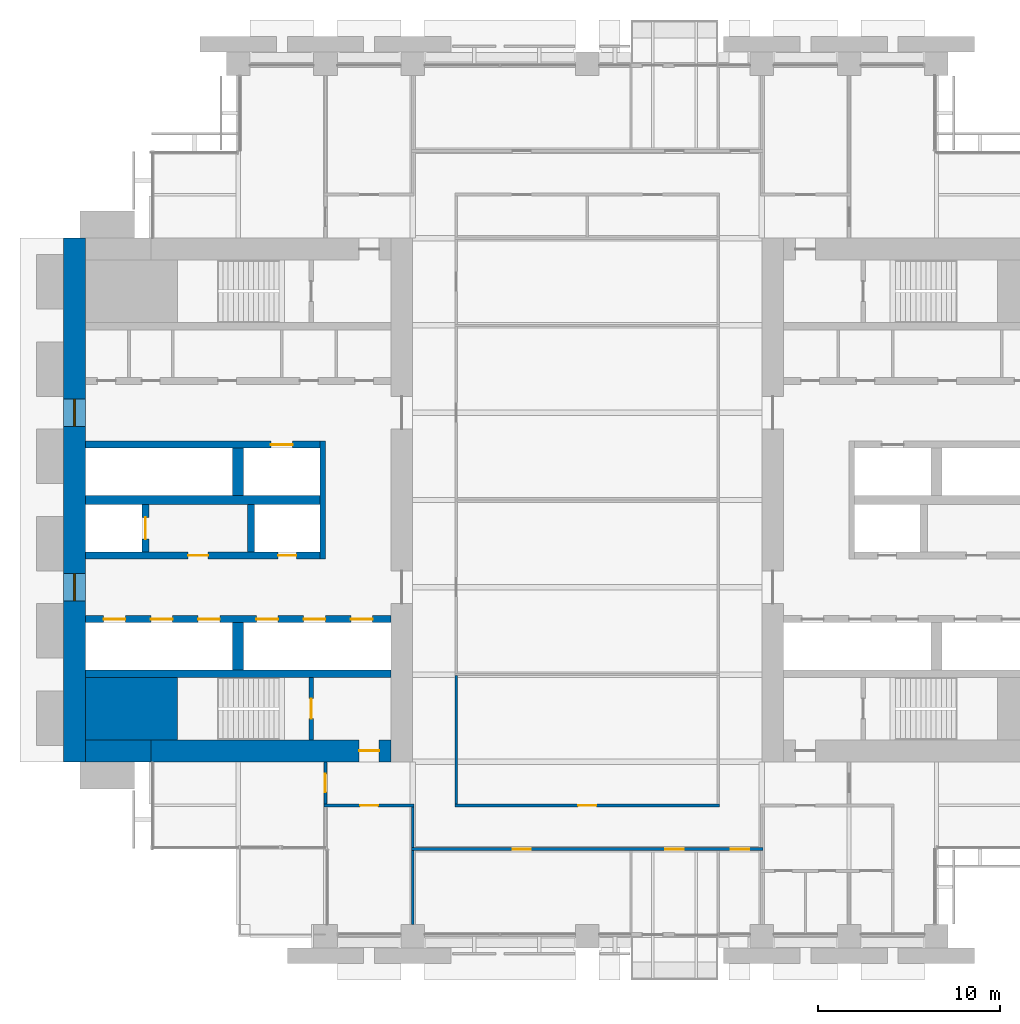
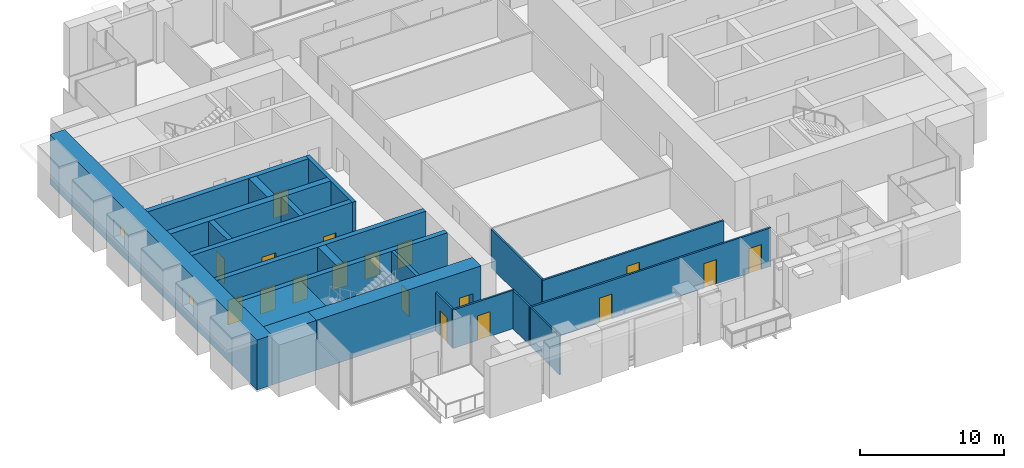
# One storey, part 9 of 15: 22 walls, 18 doors, 2 windows, 20 openings.
"""IFC4 building model written with IfcOpenShell, lengths in metres."""

from ifc_helpers import new_model, si_unit, direction, frame, frame_2d, origin, place, context, subcontext, project, spatial, rectangle, extrude, material, layer, layer_set, type_object, element, fill, save


model = new_model("IFC4")

# Units and contexts
model_context = context("Model", 3, precision=1e-05, world=origin(), true_north=direction((0.0, 1.0)))
body_context = subcontext(model_context, "Body", "Model", "MODEL_VIEW")
ifc_project = project(units=[si_unit("LENGTHUNIT", "METRE"), si_unit("AREAUNIT", "SQUARE_METRE"), si_unit("VOLUMEUNIT", "CUBIC_METRE"), si_unit("PLANEANGLEUNIT", "RADIAN"), si_unit("MASSUNIT", "GRAM", prefix="KILO")], contexts=[model_context])

# Site, building, storey
site_placement = place(None, origin())
site = spatial("IfcSite", under=ifc_project, at=site_placement, CompositionType="ELEMENT")
building_placement = place(site_placement, origin())
building = spatial("IfcBuilding", under=site, at=building_placement, Name="Baori Bourse Tower", CompositionType="ELEMENT")
storey_placement = place(building_placement, frame((0.0, 0.0, 34.60009765625)))
storey = spatial("IfcBuildingStorey", under=building, at=storey_placement, Name="L06", CompositionType="ELEMENT", Elevation=34.60009765625)

# Wall
ifc_material_1 = material(Name="Concrete f'c 70 MPa", Category="concrete")
wall_type_1 = type_object("IfcWallType", Name="Core corner block f'c 70", PredefinedType="SHEAR", material=ifc_material_1)
wall_1_placement = place(storey_placement, frame((1.199951171875, 12.52490234375, 0.0), z_axis=(0.0, 0.0, 1.0), x_axis=(1.0, 0.0, 0.0)))
element("IfcWall", 1, at=wall_1_placement, inside=storey, type_object=wall_type_1, Name="Core wall W05", PredefinedType="SHEAR", context=body_context, shape_type="SweptSolid", body=[
    extrude(rectangle(XDim=5.050048828125, YDim=3.449951171875, at=frame_2d((2.52490234375, 0.0))), origin(), (0.0, 0.0, 1.0), 4.239990234375),
])

# Wall, openings, windows
ifc_material_2 = material(Name="Concrete f'c 70 MPa", Category="concrete")
ifc_layer_1 = layer(ifc_material_2, 1.199951171875)
ifc_layer_set_1 = layer_set([ifc_layer_1], Name="Core wall 1200 f'c 70")
wall_type_2 = type_object("IfcWallType", Name="Core wall 1200 f'c 70", PredefinedType="SHEAR", material=ifc_layer_set_1)
wall_2_placement = place(storey_placement, frame((0.60009765625, 9.60009765625, 0.0), z_axis=(0.0, 0.0, 1.0), x_axis=(0.0, 1.0, 0.0)))
wall_2 = element("IfcWall", 2, at=wall_2_placement, inside=storey, type_object=wall_type_2, Name="Core wall W01", PredefinedType="SHEAR", context=body_context, shape_type="SweptSolid", body=[
    extrude(rectangle(XDim=28.7998046875, YDim=1.199951171875, at=frame_2d((14.39990234375, 0.0))), origin(), (0.0, 0.0, 1.0), 4.239990234375),
])
opening_1_placement = place(wall_2_placement, frame((8.85009765625, 0.0, 0.89990234375)))
opening_1 = element("IfcOpeningElement", 3, at=opening_1_placement, cuts=wall_2, Name="Opening L06-KW101", PredefinedType="OPENING", context=body_context, shape_type="SweptSolid", body=[
    extrude(rectangle(XDim=1.5, YDim=1.5, at=frame_2d((0.75, 0.75))), frame((0.0, 0.60986328125, 0.0), z_axis=(0.0, -1.0, 0.0), x_axis=(1.0, 0.0, 0.0)), (0.0, 0.0, 1.0), 1.219970703125),
])
opening_2_placement = place(wall_2_placement, frame((18.449951171875, 0.0, 0.89990234375)))
opening_2 = element("IfcOpeningElement", 4, at=opening_2_placement, cuts=wall_2, Name="Opening L06-KW102", PredefinedType="OPENING", context=body_context, shape_type="SweptSolid", body=[
    extrude(rectangle(XDim=1.5, YDim=1.5, at=frame_2d((0.75, 0.75))), frame((0.0, 0.60986328125, 0.0), z_axis=(0.0, -1.0, 0.0), x_axis=(1.0, 0.0, 0.0)), (0.0, 0.0, 1.0), 1.219970703125),
])
ifc_material_3 = material(Name="Pale anodised aluminium", Category="aluminium")
window_type = type_object("IfcWindowType", Name="Lobby window 1500 x 1500", PartitioningType="SINGLE_PANEL", PredefinedType="WINDOW", material=ifc_material_3)
window_1_placement = place(opening_1_placement, origin())
window_1 = element("IfcWindow", 5, at=window_1_placement, inside=storey, type_object=window_type, Name="Outer wall window W L06 1", OverallHeight=1.5, OverallWidth=1.5, PartitioningType="SINGLE_PANEL", PredefinedType="WINDOW", context=body_context, shape_type="SweptSolid", body=[
    extrude(rectangle(XDim=1.5, YDim=1.5, at=frame_2d((0.75, 0.75))), frame((0.0, 0.030029296875, 0.0), z_axis=(0.0, -1.0, 0.0), x_axis=(1.0, 0.0, 0.0)), (0.0, 0.0, 1.0), 0.06005859375),
])
fill(opening_1, window_1)
window_2_placement = place(opening_2_placement, origin())
window_2 = element("IfcWindow", 6, at=window_2_placement, inside=storey, type_object=window_type, Name="Outer wall window W L06 2", OverallHeight=1.5, OverallWidth=1.5, PartitioningType="SINGLE_PANEL", PredefinedType="WINDOW", context=body_context, shape_type="SweptSolid", body=[
    extrude(rectangle(XDim=1.5, YDim=1.5, at=frame_2d((0.75, 0.75))), frame((0.0, 0.030029296875, 0.0), z_axis=(0.0, -1.0, 0.0), x_axis=(1.0, 0.0, 0.0)), (0.0, 0.0, 1.0), 0.06005859375),
])
fill(opening_2, window_2)

# Wall
wall_3_placement = place(storey_placement, frame((4.800048828125, 10.199951171875, 0.0), z_axis=(0.0, 0.0, 1.0), x_axis=(-1.0, 0.0, 0.0)))
element("IfcWall", 7, at=wall_3_placement, inside=storey, type_object=wall_type_2, Name="Core wall W02", PredefinedType="SHEAR", context=body_context, shape_type="SweptSolid", body=[
    extrude(rectangle(XDim=3.60009765625, YDim=1.199951171875, at=frame_2d((1.800048828125, 0.0))), origin(), (0.0, 0.0, 1.0), 4.239990234375),
])

# Wall, opening, door
wall_4_placement = place(storey_placement, frame((18.0, 10.199951171875, 0.0), z_axis=(0.0, 0.0, 1.0), x_axis=(-1.0, 0.0, 0.0)))
wall_4 = element("IfcWall", 8, at=wall_4_placement, inside=storey, type_object=wall_type_2, Name="Core wall W03", PredefinedType="SHEAR", context=body_context, shape_type="SweptSolid", body=[
    extrude(rectangle(XDim=13.199951171875, YDim=1.199951171875, at=frame_2d((6.60009765625, 0.0))), origin(), (0.0, 0.0, 1.0), 4.239990234375),
])
opening_3_placement = place(wall_4_placement, frame((0.64990234375, 0.0, 0.0)))
opening_3 = element("IfcOpeningElement", 9, at=opening_3_placement, cuts=wall_4, Name="Opening L06-D102", PredefinedType="OPENING", context=body_context, shape_type="SweptSolid", body=[
    extrude(rectangle(XDim=1.10009765625, YDim=2.10009765625, at=frame_2d((0.550048828125, 1.050048828125))), frame((0.0, 0.60986328125, 0.0), z_axis=(0.0, -1.0, 0.0), x_axis=(1.0, 0.0, 0.0)), (0.0, 0.0, 1.0), 1.219970703125),
])
ifc_material_4 = material(Name="Painted steel door", Category="steel")
door_type_1 = type_object("IfcDoorType", Name="Stair door 1100", OperationType="SINGLE_SWING_LEFT", PredefinedType="DOOR", material=ifc_material_4)
door_1_placement = place(opening_3_placement, origin())
door_1 = element("IfcDoor", 10, at=door_1_placement, inside=storey, type_object=door_type_1, Name="Stair vestibule door A W L06", OperationType="SINGLE_SWING_LEFT", OverallHeight=2.10009765625, OverallWidth=1.10009765625, PredefinedType="DOOR", context=body_context, shape_type="SweptSolid", body=[
    extrude(rectangle(XDim=1.10009765625, YDim=2.10009765625, at=frame_2d((0.550048828125, 1.050048828125))), frame((0.0, 0.02490234375, 0.0), z_axis=(0.0, -1.0, 0.0), x_axis=(1.0, 0.0, 0.0)), (0.0, 0.0, 1.0), 0.050048828125),
])
fill(opening_3, door_1)

# Wall, openings, doors
ifc_material_5 = material(Name="Gypsum board partition")
ifc_layer_2 = layer(ifc_material_5, 0.14990234375)
ifc_layer_set_2 = layer_set([ifc_layer_2], Name="Corridor partition 150")
wall_type_3 = type_object("IfcWallType", Name="Corridor partition 150", PredefinedType="PARTITIONING", material=ifc_layer_set_2)
wall_5_placement = place(storey_placement, frame((19.125, 4.800048828125, 0.0), z_axis=(0.0, 0.0, 1.0), x_axis=(1.0, 0.0, 0.0)))
wall_5 = element("IfcWall", 11, at=wall_5_placement, inside=storey, type_object=wall_type_3, Name="Partition", PredefinedType="PARTITIONING", context=body_context, shape_type="SweptSolid", body=[
    extrude(rectangle(XDim=19.35009765625, YDim=0.14990234375, at=frame_2d((9.675048828125, 0.0))), origin(), (0.0, 0.0, 1.0), 3.26953125),
])
opening_4_placement = place(wall_5_placement, frame((5.574951171875, 0.0, 0.0)))
opening_4 = element("IfcOpeningElement", 12, at=opening_4_placement, cuts=wall_5, Name="Opening L06-D04", PredefinedType="OPENING", context=body_context, shape_type="SweptSolid", body=[
    extrude(rectangle(XDim=1.0, YDim=2.10009765625, at=frame_2d((0.5, 1.050048828125))), frame((0.0, 0.0849609375, 0.0), z_axis=(0.0, -1.0, 0.0), x_axis=(1.0, 0.0, 0.0)), (0.0, 0.0, 1.0), 0.169921875),
])
opening_5_placement = place(wall_5_placement, frame((13.97509765625, 0.0, 0.0)))
opening_5 = element("IfcOpeningElement", 13, at=opening_5_placement, cuts=wall_5, Name="Opening L06-D05", PredefinedType="OPENING", context=body_context, shape_type="SweptSolid", body=[
    extrude(rectangle(XDim=1.0, YDim=2.10009765625, at=frame_2d((0.5, 1.050048828125))), frame((0.0, 0.0849609375, 0.0), z_axis=(0.0, -1.0, 0.0), x_axis=(1.0, 0.0, 0.0)), (0.0, 0.0, 1.0), 0.169921875),
])
opening_6_placement = place(wall_5_placement, frame((17.574951171875, 0.0, 0.0)))
opening_6 = element("IfcOpeningElement", 14, at=opening_6_placement, cuts=wall_5, Name="Opening L06-D06", PredefinedType="OPENING", context=body_context, shape_type="SweptSolid", body=[
    extrude(rectangle(XDim=1.0, YDim=2.10009765625, at=frame_2d((0.5, 1.050048828125))), frame((0.0, 0.0849609375, 0.0), z_axis=(0.0, -1.0, 0.0), x_axis=(1.0, 0.0, 0.0)), (0.0, 0.0, 1.0), 0.169921875),
])
ifc_material_6 = material(Name="Timber door leaf", Category="wood")
door_type_2 = type_object("IfcDoorType", Name="Door 1000 x 2100", OperationType="SINGLE_SWING_LEFT", PredefinedType="DOOR", material=ifc_material_6)
door_2_placement = place(opening_4_placement, origin())
door_2 = element("IfcDoor", 15, at=door_2_placement, inside=storey, type_object=door_type_2, Name="Door", OperationType="SINGLE_SWING_LEFT", OverallHeight=2.10009765625, OverallWidth=1.0, PredefinedType="DOOR", context=body_context, shape_type="SweptSolid", body=[
    extrude(rectangle(XDim=1.0, YDim=2.10009765625, at=frame_2d((0.5, 1.050048828125))), frame((0.0, 0.02490234375, 0.0), z_axis=(0.0, -1.0, 0.0), x_axis=(1.0, 0.0, 0.0)), (0.0, 0.0, 1.0), 0.050048828125),
])
fill(opening_4, door_2)
door_3_placement = place(opening_5_placement, origin())
door_3 = element("IfcDoor", 16, at=door_3_placement, inside=storey, type_object=door_type_2, Name="Door", OperationType="SINGLE_SWING_RIGHT", OverallHeight=2.10009765625, OverallWidth=1.0, PredefinedType="DOOR", context=body_context, shape_type="SweptSolid", body=[
    extrude(rectangle(XDim=1.0, YDim=2.10009765625, at=frame_2d((0.5, 1.050048828125))), frame((0.0, 0.02490234375, 0.0), z_axis=(0.0, -1.0, 0.0), x_axis=(1.0, 0.0, 0.0)), (0.0, 0.0, 1.0), 0.050048828125),
])
fill(opening_5, door_3)
door_4_placement = place(opening_6_placement, origin())
door_4 = element("IfcDoor", 17, at=door_4_placement, inside=storey, type_object=door_type_2, Name="Door", OperationType="SINGLE_SWING_RIGHT", OverallHeight=2.10009765625, OverallWidth=1.0, PredefinedType="DOOR", context=body_context, shape_type="SweptSolid", body=[
    extrude(rectangle(XDim=1.0, YDim=2.10009765625, at=frame_2d((0.5, 1.050048828125))), frame((0.0, 0.02490234375, 0.0), z_axis=(0.0, -1.0, 0.0), x_axis=(1.0, 0.0, 0.0)), (0.0, 0.0, 1.0), 0.050048828125),
])
fill(opening_6, door_4)

# Wall, opening, door
wall_6_placement = place(storey_placement, frame((14.324951171875, 7.199951171875, 0.0), z_axis=(0.0, 0.0, 1.0), x_axis=(1.0, 0.0, 0.0)))
wall_6 = element("IfcWall", 18, at=wall_6_placement, inside=storey, type_object=wall_type_3, Name="Partition", PredefinedType="PARTITIONING", context=body_context, shape_type="SweptSolid", body=[
    extrude(rectangle(XDim=4.949951171875, YDim=0.14990234375, at=frame_2d((2.47509765625, 0.0))), origin(), (0.0, 0.0, 1.0), 3.26953125),
])
opening_7_placement = place(wall_6_placement, frame((1.97509765625, 0.0, 0.0)))
opening_7 = element("IfcOpeningElement", 19, at=opening_7_placement, cuts=wall_6, Name="Opening L06-D07", PredefinedType="OPENING", context=body_context, shape_type="SweptSolid", body=[
    extrude(rectangle(XDim=1.0, YDim=2.10009765625, at=frame_2d((0.5, 1.050048828125))), frame((0.0, 0.0849609375, 0.0), z_axis=(0.0, -1.0, 0.0), x_axis=(1.0, 0.0, 0.0)), (0.0, 0.0, 1.0), 0.169921875),
])
door_5_placement = place(opening_7_placement, origin())
door_5 = element("IfcDoor", 20, at=door_5_placement, inside=storey, type_object=door_type_2, Name="Door", OperationType="SINGLE_SWING_RIGHT", OverallHeight=2.10009765625, OverallWidth=1.0, PredefinedType="DOOR", context=body_context, shape_type="SweptSolid", body=[
    extrude(rectangle(XDim=1.0, YDim=2.10009765625, at=frame_2d((0.5, 1.050048828125))), frame((0.0, 0.02490234375, 0.0), z_axis=(0.0, -1.0, 0.0), x_axis=(1.0, 0.0, 0.0)), (0.0, 0.0, 1.0), 0.050048828125),
])
fill(opening_7, door_5)

wall_7_placement = place(storey_placement, frame((21.52490234375, 7.199951171875, 0.0), z_axis=(0.0, 0.0, 1.0), x_axis=(1.0, 0.0, 0.0)))
wall_7 = element("IfcWall", 21, at=wall_7_placement, inside=storey, type_object=wall_type_3, Name="Partition", PredefinedType="PARTITIONING", context=body_context, shape_type="SweptSolid", body=[
    extrude(rectangle(XDim=14.550048828125, YDim=0.14990234375, at=frame_2d((7.27490234375, 0.0))), origin(), (0.0, 0.0, 1.0), 3.26953125),
])
opening_8_placement = place(wall_7_placement, frame((6.77490234375, 0.0, 0.0)))
opening_8 = element("IfcOpeningElement", 22, at=opening_8_placement, cuts=wall_7, Name="Opening L06-D08", PredefinedType="OPENING", context=body_context, shape_type="SweptSolid", body=[
    extrude(rectangle(XDim=1.0, YDim=2.10009765625, at=frame_2d((0.5, 1.050048828125))), frame((0.0, 0.0849609375, 0.0), z_axis=(0.0, -1.0, 0.0), x_axis=(1.0, 0.0, 0.0)), (0.0, 0.0, 1.0), 0.169921875),
])
door_6_placement = place(opening_8_placement, origin())
door_6 = element("IfcDoor", 23, at=door_6_placement, inside=storey, type_object=door_type_2, Name="Door", OperationType="SINGLE_SWING_RIGHT", OverallHeight=2.10009765625, OverallWidth=1.0, PredefinedType="DOOR", context=body_context, shape_type="SweptSolid", body=[
    extrude(rectangle(XDim=1.0, YDim=2.10009765625, at=frame_2d((0.5, 1.050048828125))), frame((0.0, 0.02490234375, 0.0), z_axis=(0.0, -1.0, 0.0), x_axis=(1.0, 0.0, 0.0)), (0.0, 0.0, 1.0), 0.050048828125),
])
fill(opening_8, door_6)

wall_8_placement = place(storey_placement, frame((14.39990234375, 7.27490234375, 0.0), z_axis=(0.0, 0.0, 1.0), x_axis=(0.0, 1.0, 0.0)))
wall_8 = element("IfcWall", 24, at=wall_8_placement, inside=storey, type_object=wall_type_3, Name="Partition", PredefinedType="PARTITIONING", context=body_context, shape_type="SweptSolid", body=[
    extrude(rectangle(XDim=2.3251953125, YDim=0.14990234375, at=frame_2d((1.16259765625, 0.0))), origin(), (0.0, 0.0, 1.0), 3.26953125),
])
opening_9_placement = place(wall_8_placement, frame((0.66259765625, 0.0, 0.0)))
opening_9 = element("IfcOpeningElement", 25, at=opening_9_placement, cuts=wall_8, Name="Opening L06-D17", PredefinedType="OPENING", context=body_context, shape_type="SweptSolid", body=[
    extrude(rectangle(XDim=1.0, YDim=2.10009765625, at=frame_2d((0.5, 1.050048828125))), frame((0.0, 0.0849609375, 0.0), z_axis=(0.0, -1.0, 0.0), x_axis=(1.0, 0.0, 0.0)), (0.0, 0.0, 1.0), 0.169921875),
])
door_7_placement = place(opening_9_placement, origin())
door_7 = element("IfcDoor", 26, at=door_7_placement, inside=storey, type_object=door_type_2, Name="Door", OperationType="SINGLE_SWING_RIGHT", OverallHeight=2.10009765625, OverallWidth=1.0, PredefinedType="DOOR", context=body_context, shape_type="SweptSolid", body=[
    extrude(rectangle(XDim=1.0, YDim=2.10009765625, at=frame_2d((0.5, 1.050048828125))), frame((0.0, 0.02490234375, 0.0), z_axis=(0.0, -1.0, 0.0), x_axis=(1.0, 0.0, 0.0)), (0.0, 0.0, 1.0), 0.050048828125),
])
fill(opening_9, door_7)

# Walls
wall_9_placement = place(storey_placement, frame((19.199951171875, 4.875, 0.0), z_axis=(0.0, 0.0, 1.0), x_axis=(0.0, 1.0, 0.0)))
element("IfcWall", 27, at=wall_9_placement, inside=storey, type_object=wall_type_3, Name="Partition", PredefinedType="PARTITIONING", context=body_context, shape_type="SweptSolid", body=[
    extrude(rectangle(XDim=2.25, YDim=0.14990234375, at=frame_2d((1.125, 0.0))), origin(), (0.0, 0.0, 1.0), 3.26953125),
])
wall_10_placement = place(storey_placement, frame((21.60009765625, 7.27490234375, 0.0), z_axis=(0.0, 0.0, 1.0), x_axis=(0.0, 1.0, 0.0)))
element("IfcWall", 28, at=wall_10_placement, inside=storey, type_object=wall_type_3, Name="Partition", PredefinedType="PARTITIONING", context=body_context, shape_type="SweptSolid", body=[
    extrude(rectangle(XDim=7.0625, YDim=0.14990234375, at=frame_2d((3.53125, 0.0))), origin(), (0.0, 0.0, 1.0), 3.26953125),
])
ifc_material_7 = material(Name="Gypsum board partition")
ifc_layer_3 = layer(ifc_material_7, 0.125)
ifc_layer_set_3 = layer_set([ifc_layer_3], Name="Partition 125")
wall_type_4 = type_object("IfcWallType", Name="Partition 125", PredefinedType="PARTITIONING", material=ifc_layer_set_3)
wall_11_placement = place(storey_placement, frame((19.199951171875, 0.64990234375, 0.0), z_axis=(0.0, 0.0, 1.0), x_axis=(0.0, 1.0, 0.0)))
element("IfcWall", 29, at=wall_11_placement, inside=storey, type_object=wall_type_4, Name="Partition", PredefinedType="PARTITIONING", context=body_context, shape_type="SweptSolid", body=[
    extrude(rectangle(XDim=4.0751953125, YDim=0.125, at=frame_2d((2.03759765625, 0.0))), origin(), (0.0, 0.0, 1.0), 3.26953125),
])

# Wall, opening, door
ifc_material_8 = material(Name="Concrete f'c 70 MPa", Category="concrete")
ifc_layer_4 = layer(ifc_material_8, 0.25)
ifc_layer_set_4 = layer_set([ifc_layer_4], Name="Shaft wall 250 f'c 70")
wall_type_5 = type_object("IfcWallType", Name="Shaft wall 250 f'c 70", PredefinedType="SHEAR", material=ifc_layer_set_4)
wall_12_placement = place(storey_placement, frame((13.625, 10.800048828125, 0.0), z_axis=(0.0, 0.0, 1.0), x_axis=(0.0, 1.0, 0.0)))
wall_12 = element("IfcWall", 30, at=wall_12_placement, inside=storey, type_object=wall_type_5, Name="Core wall W06", PredefinedType="SHEAR", context=body_context, shape_type="SweptSolid", body=[
    extrude(rectangle(XDim=3.449951171875, YDim=0.25, at=frame_2d((1.72509765625, 0.0))), origin(), (0.0, 0.0, 1.0), 4.239990234375),
])
opening_10_placement = place(wall_12_placement, frame((1.175048828125, 0.0, 0.0)))
opening_10 = element("IfcOpeningElement", 31, at=opening_10_placement, cuts=wall_12, Name="Opening L06-D101", PredefinedType="OPENING", context=body_context, shape_type="SweptSolid", body=[
    extrude(rectangle(XDim=1.10009765625, YDim=2.10009765625, at=frame_2d((0.550048828125, 1.050048828125))), frame((0.0, 0.135009765625, 0.0), z_axis=(0.0, -1.0, 0.0), x_axis=(1.0, 0.0, 0.0)), (0.0, 0.0, 1.0), 0.27001953125),
])
door_8_placement = place(opening_10_placement, origin())
door_8 = element("IfcDoor", 32, at=door_8_placement, inside=storey, type_object=door_type_1, Name="Stair door A W L06", OperationType="SINGLE_SWING_LEFT", OverallHeight=2.10009765625, OverallWidth=1.10009765625, PredefinedType="DOOR", context=body_context, shape_type="SweptSolid", body=[
    extrude(rectangle(XDim=1.10009765625, YDim=2.10009765625, at=frame_2d((0.550048828125, 1.050048828125))), frame((0.0, 0.02490234375, 0.0), z_axis=(0.0, -1.0, 0.0), x_axis=(1.0, 0.0, 0.0)), (0.0, 0.0, 1.0), 0.050048828125),
])
fill(opening_10, door_8)

# Walls
ifc_material_9 = material(Name="Concrete f'c 70 MPa", Category="concrete")
ifc_layer_5 = layer(ifc_material_9, 0.300048828125)
ifc_layer_set_5 = layer_set([ifc_layer_5], Name="Shaft wall 300 f'c 70")
wall_type_6 = type_object("IfcWallType", Name="Shaft wall 300 f'c 70", PredefinedType="SHEAR", material=ifc_layer_set_5)
wall_13_placement = place(storey_placement, frame((14.25, 20.75, 0.0), z_axis=(0.0, 0.0, 1.0), x_axis=(0.0, 1.0, 0.0)))
element("IfcWall", 33, at=wall_13_placement, inside=storey, type_object=wall_type_6, Name="Core wall W11", PredefinedType="SHEAR", context=body_context, shape_type="SweptSolid", body=[
    extrude(rectangle(XDim=6.5, YDim=0.300048828125, at=frame_2d((3.25, 0.0))), origin(), (0.0, 0.0, 1.0), 4.239990234375),
])
ifc_material_10 = material(Name="Concrete f'c 70 MPa", Category="concrete")
ifc_layer_6 = layer(ifc_material_10, 0.39990234375)
ifc_layer_set_6 = layer_set([ifc_layer_6], Name="Shaft wall 400 f'c 70")
wall_type_7 = type_object("IfcWallType", Name="Shaft wall 400 f'c 70", PredefinedType="SHEAR", material=ifc_layer_set_6)
wall_14_placement = place(storey_placement, frame((1.199951171875, 14.449951171875, 0.0), z_axis=(0.0, 0.0, 1.0), x_axis=(1.0, 0.0, 0.0)))
element("IfcWall", 34, at=wall_14_placement, inside=storey, type_object=wall_type_7, Name="Core wall W07", PredefinedType="SHEAR", context=body_context, shape_type="SweptSolid", body=[
    extrude(rectangle(XDim=16.800048828125, YDim=0.39990234375, at=frame_2d((8.39990234375, 0.0))), origin(), (0.0, 0.0, 1.0), 4.239990234375),
])

# Wall, openings, doors
wall_15_placement = place(storey_placement, frame((1.199951171875, 17.449951171875, 0.0), z_axis=(0.0, 0.0, 1.0), x_axis=(1.0, 0.0, 0.0)))
wall_15 = element("IfcWall", 35, at=wall_15_placement, inside=storey, type_object=wall_type_7, Name="Core wall W09", PredefinedType="SHEAR", context=body_context, shape_type="SweptSolid", body=[
    extrude(rectangle(XDim=16.800048828125, YDim=0.39990234375, at=frame_2d((8.39990234375, 0.0))), origin(), (0.0, 0.0, 1.0), 4.239990234375),
])
opening_11_placement = place(wall_15_placement, frame((1.0, 0.0, 0.0)))
opening_11 = element("IfcOpeningElement", 36, at=opening_11_placement, cuts=wall_15, Name="Opening L06-D114", PredefinedType="OPENING", context=body_context, shape_type="SweptSolid", body=[
    extrude(rectangle(XDim=1.199951171875, YDim=2.10009765625, at=frame_2d((0.60009765625, 1.050048828125))), frame((0.0, 0.2099609375, 0.0), z_axis=(0.0, -1.0, 0.0), x_axis=(1.0, 0.0, 0.0)), (0.0, 0.0, 1.0), 0.419921875),
])
opening_12_placement = place(wall_15_placement, frame((3.60009765625, 0.0, 0.0)))
opening_12 = element("IfcOpeningElement", 37, at=opening_12_placement, cuts=wall_15, Name="Opening L06-D115", PredefinedType="OPENING", context=body_context, shape_type="SweptSolid", body=[
    extrude(rectangle(XDim=1.199951171875, YDim=2.10009765625, at=frame_2d((0.60009765625, 1.050048828125))), frame((0.0, 0.2099609375, 0.0), z_axis=(0.0, -1.0, 0.0), x_axis=(1.0, 0.0, 0.0)), (0.0, 0.0, 1.0), 0.419921875),
])
opening_13_placement = place(wall_15_placement, frame((6.199951171875, 0.0, 0.0)))
opening_13 = element("IfcOpeningElement", 38, at=opening_13_placement, cuts=wall_15, Name="Opening L06-D116", PredefinedType="OPENING", context=body_context, shape_type="SweptSolid", body=[
    extrude(rectangle(XDim=1.199951171875, YDim=2.10009765625, at=frame_2d((0.60009765625, 1.050048828125))), frame((0.0, 0.2099609375, 0.0), z_axis=(0.0, -1.0, 0.0), x_axis=(1.0, 0.0, 0.0)), (0.0, 0.0, 1.0), 0.419921875),
])
opening_14_placement = place(wall_15_placement, frame((9.39990234375, 0.0, 0.0)))
opening_14 = element("IfcOpeningElement", 39, at=opening_14_placement, cuts=wall_15, Name="Opening L06-D117", PredefinedType="OPENING", context=body_context, shape_type="SweptSolid", body=[
    extrude(rectangle(XDim=1.199951171875, YDim=2.10009765625, at=frame_2d((0.60009765625, 1.050048828125))), frame((0.0, 0.2099609375, 0.0), z_axis=(0.0, -1.0, 0.0), x_axis=(1.0, 0.0, 0.0)), (0.0, 0.0, 1.0), 0.419921875),
])
opening_15_placement = place(wall_15_placement, frame((12.0, 0.0, 0.0)))
opening_15 = element("IfcOpeningElement", 40, at=opening_15_placement, cuts=wall_15, Name="Opening L06-D118", PredefinedType="OPENING", context=body_context, shape_type="SweptSolid", body=[
    extrude(rectangle(XDim=1.199951171875, YDim=2.10009765625, at=frame_2d((0.60009765625, 1.050048828125))), frame((0.0, 0.2099609375, 0.0), z_axis=(0.0, -1.0, 0.0), x_axis=(1.0, 0.0, 0.0)), (0.0, 0.0, 1.0), 0.419921875),
])
opening_16_placement = place(wall_15_placement, frame((14.60009765625, 0.0, 0.0)))
opening_16 = element("IfcOpeningElement", 41, at=opening_16_placement, cuts=wall_15, Name="Opening L06-D119", PredefinedType="OPENING", context=body_context, shape_type="SweptSolid", body=[
    extrude(rectangle(XDim=1.199951171875, YDim=2.10009765625, at=frame_2d((0.60009765625, 1.050048828125))), frame((0.0, 0.2099609375, 0.0), z_axis=(0.0, -1.0, 0.0), x_axis=(1.0, 0.0, 0.0)), (0.0, 0.0, 1.0), 0.419921875),
])
ifc_material_11 = material(Name="Stainless steel door", Category="steel")
door_type_3 = type_object("IfcDoorType", Name="Lift landing door", OperationType="DOUBLE_DOOR_SLIDING", PredefinedType="DOOR", material=ifc_material_11)
door_9_placement = place(opening_11_placement, origin())
door_9 = element("IfcDoor", 42, at=door_9_placement, inside=storey, type_object=door_type_3, Name="Lift landing door LR1 W L06", OperationType="DOUBLE_DOOR_SLIDING", OverallHeight=2.10009765625, OverallWidth=1.199951171875, PredefinedType="DOOR", context=body_context, shape_type="SweptSolid", body=[
    extrude(rectangle(XDim=1.199951171875, YDim=2.10009765625, at=frame_2d((0.60009765625, 1.050048828125))), frame((0.0, 0.02490234375, 0.0), z_axis=(0.0, -1.0, 0.0), x_axis=(1.0, 0.0, 0.0)), (0.0, 0.0, 1.0), 0.050048828125),
])
fill(opening_11, door_9)
door_10_placement = place(opening_12_placement, origin())
door_10 = element("IfcDoor", 43, at=door_10_placement, inside=storey, type_object=door_type_3, Name="Lift landing door LR2 W L06", OperationType="DOUBLE_DOOR_SLIDING", OverallHeight=2.10009765625, OverallWidth=1.199951171875, PredefinedType="DOOR", context=body_context, shape_type="SweptSolid", body=[
    extrude(rectangle(XDim=1.199951171875, YDim=2.10009765625, at=frame_2d((0.60009765625, 1.050048828125))), frame((0.0, 0.02490234375, 0.0), z_axis=(0.0, -1.0, 0.0), x_axis=(1.0, 0.0, 0.0)), (0.0, 0.0, 1.0), 0.050048828125),
])
fill(opening_12, door_10)
door_11_placement = place(opening_13_placement, origin())
door_11 = element("IfcDoor", 44, at=door_11_placement, inside=storey, type_object=door_type_3, Name="Lift landing door LR3 W L06", OperationType="DOUBLE_DOOR_SLIDING", OverallHeight=2.10009765625, OverallWidth=1.199951171875, PredefinedType="DOOR", context=body_context, shape_type="SweptSolid", body=[
    extrude(rectangle(XDim=1.199951171875, YDim=2.10009765625, at=frame_2d((0.60009765625, 1.050048828125))), frame((0.0, 0.02490234375, 0.0), z_axis=(0.0, -1.0, 0.0), x_axis=(1.0, 0.0, 0.0)), (0.0, 0.0, 1.0), 0.050048828125),
])
fill(opening_13, door_11)
door_12_placement = place(opening_14_placement, origin())
door_12 = element("IfcDoor", 45, at=door_12_placement, inside=storey, type_object=door_type_3, Name="Lift landing door LR4 W L06", OperationType="DOUBLE_DOOR_SLIDING", OverallHeight=2.10009765625, OverallWidth=1.199951171875, PredefinedType="DOOR", context=body_context, shape_type="SweptSolid", body=[
    extrude(rectangle(XDim=1.199951171875, YDim=2.10009765625, at=frame_2d((0.60009765625, 1.050048828125))), frame((0.0, 0.02490234375, 0.0), z_axis=(0.0, -1.0, 0.0), x_axis=(1.0, 0.0, 0.0)), (0.0, 0.0, 1.0), 0.050048828125),
])
fill(opening_14, door_12)
door_13_placement = place(opening_15_placement, origin())
door_13 = element("IfcDoor", 46, at=door_13_placement, inside=storey, type_object=door_type_3, Name="Lift landing door LR5 W L06", OperationType="DOUBLE_DOOR_SLIDING", OverallHeight=2.10009765625, OverallWidth=1.199951171875, PredefinedType="DOOR", context=body_context, shape_type="SweptSolid", body=[
    extrude(rectangle(XDim=1.199951171875, YDim=2.10009765625, at=frame_2d((0.60009765625, 1.050048828125))), frame((0.0, 0.02490234375, 0.0), z_axis=(0.0, -1.0, 0.0), x_axis=(1.0, 0.0, 0.0)), (0.0, 0.0, 1.0), 0.050048828125),
])
fill(opening_15, door_13)
door_14_placement = place(opening_16_placement, origin())
door_14 = element("IfcDoor", 47, at=door_14_placement, inside=storey, type_object=door_type_3, Name="Lift landing door LR6 W L06", OperationType="DOUBLE_DOOR_SLIDING", OverallHeight=2.10009765625, OverallWidth=1.199951171875, PredefinedType="DOOR", context=body_context, shape_type="SweptSolid", body=[
    extrude(rectangle(XDim=1.199951171875, YDim=2.10009765625, at=frame_2d((0.60009765625, 1.050048828125))), frame((0.0, 0.02490234375, 0.0), z_axis=(0.0, -1.0, 0.0), x_axis=(1.0, 0.0, 0.0)), (0.0, 0.0, 1.0), 0.050048828125),
])
fill(opening_16, door_14)

wall_16_placement = place(storey_placement, frame((1.199951171875, 20.949951171875, 0.0), z_axis=(0.0, 0.0, 1.0), x_axis=(1.0, 0.0, 0.0)))
wall_16 = element("IfcWall", 48, at=wall_16_placement, inside=storey, type_object=wall_type_7, Name="Core wall W10", PredefinedType="SHEAR", context=body_context, shape_type="SweptSolid", body=[
    extrude(rectangle(XDim=12.900146484375, YDim=0.39990234375, at=frame_2d((6.4501953125, 0.0))), origin(), (0.0, 0.0, 1.0), 4.239990234375),
])
opening_17_placement = place(wall_16_placement, frame((5.64990234375, 0.0, 0.0)))
opening_17 = element("IfcOpeningElement", 49, at=opening_17_placement, cuts=wall_16, Name="Opening L06-D105", PredefinedType="OPENING", context=body_context, shape_type="SweptSolid", body=[
    extrude(rectangle(XDim=1.10009765625, YDim=2.10009765625, at=frame_2d((0.550048828125, 1.050048828125))), frame((0.0, 0.2099609375, 0.0), z_axis=(0.0, -1.0, 0.0), x_axis=(1.0, 0.0, 0.0)), (0.0, 0.0, 1.0), 0.419921875),
])
opening_18_placement = place(wall_16_placement, frame((10.60009765625, 0.0, 0.0)))
opening_18 = element("IfcOpeningElement", 50, at=opening_18_placement, cuts=wall_16, Name="Opening L06-D106", PredefinedType="OPENING", context=body_context, shape_type="SweptSolid", body=[
    extrude(rectangle(XDim=1.0, YDim=2.10009765625, at=frame_2d((0.5, 1.050048828125))), frame((0.0, 0.2099609375, 0.0), z_axis=(0.0, -1.0, 0.0), x_axis=(1.0, 0.0, 0.0)), (0.0, 0.0, 1.0), 0.419921875),
])
ifc_material_12 = material(Name="Painted steel door", Category="steel")
door_type_4 = type_object("IfcDoorType", Name="Lobby door 1100", OperationType="SINGLE_SWING_LEFT", PredefinedType="DOOR", material=ifc_material_12)
door_15_placement = place(opening_17_placement, origin())
door_15 = element("IfcDoor", 51, at=door_15_placement, inside=storey, type_object=door_type_4, Name="Firefighting lobby door W L06", OperationType="SINGLE_SWING_LEFT", OverallHeight=2.10009765625, OverallWidth=1.10009765625, PredefinedType="DOOR", context=body_context, shape_type="SweptSolid", body=[
    extrude(rectangle(XDim=1.10009765625, YDim=2.10009765625, at=frame_2d((0.550048828125, 1.050048828125))), frame((0.0, 0.02490234375, 0.0), z_axis=(0.0, -1.0, 0.0), x_axis=(1.0, 0.0, 0.0)), (0.0, 0.0, 1.0), 0.050048828125),
])
fill(opening_17, door_15)
ifc_material_13 = material(Name="Painted steel door", Category="steel")
door_type_5 = type_object("IfcDoorType", Name="Shaft door 1000", OperationType="SINGLE_SWING_LEFT", PredefinedType="DOOR", material=ifc_material_13)
door_16_placement = place(opening_18_placement, origin())
door_16 = element("IfcDoor", 52, at=door_16_placement, inside=storey, type_object=door_type_5, Name="Riser room door W L06", OperationType="SINGLE_SWING_LEFT", OverallHeight=2.10009765625, OverallWidth=1.0, PredefinedType="DOOR", context=body_context, shape_type="SweptSolid", body=[
    extrude(rectangle(XDim=1.0, YDim=2.10009765625, at=frame_2d((0.5, 1.050048828125))), frame((0.0, 0.02490234375, 0.0), z_axis=(0.0, -1.0, 0.0), x_axis=(1.0, 0.0, 0.0)), (0.0, 0.0, 1.0), 0.050048828125),
])
fill(opening_18, door_16)

# Wall, opening, door
wall_17_placement = place(storey_placement, frame((4.5, 21.14990234375, 0.0), z_axis=(0.0, 0.0, 1.0), x_axis=(0.0, 1.0, 0.0)))
wall_17 = element("IfcWall", 53, at=wall_17_placement, inside=storey, type_object=wall_type_7, Name="Core wall W12", PredefinedType="SHEAR", context=body_context, shape_type="SweptSolid", body=[
    extrude(rectangle(XDim=2.60009765625, YDim=0.39990234375, at=frame_2d((1.300048828125, 0.0))), origin(), (0.0, 0.0, 1.0), 4.239990234375),
])
opening_19_placement = place(wall_17_placement, frame((0.699951171875, 0.0, 0.0)))
opening_19 = element("IfcOpeningElement", 54, at=opening_19_placement, cuts=wall_17, Name="Opening L06-D121", PredefinedType="OPENING", context=body_context, shape_type="SweptSolid", body=[
    extrude(rectangle(XDim=1.199951171875, YDim=2.10009765625, at=frame_2d((0.60009765625, 1.050048828125))), frame((0.0, 0.2099609375, 0.0), z_axis=(0.0, -1.0, 0.0), x_axis=(1.0, 0.0, 0.0)), (0.0, 0.0, 1.0), 0.419921875),
])
door_17_placement = place(opening_19_placement, origin())
door_17 = element("IfcDoor", 55, at=door_17_placement, inside=storey, type_object=door_type_3, Name="Lift landing door FF1 W L06", OperationType="DOUBLE_DOOR_SLIDING", OverallHeight=2.10009765625, OverallWidth=1.199951171875, PredefinedType="DOOR", context=body_context, shape_type="SweptSolid", body=[
    extrude(rectangle(XDim=1.199951171875, YDim=2.10009765625, at=frame_2d((0.60009765625, 1.050048828125))), frame((0.0, 0.02490234375, 0.0), z_axis=(0.0, -1.0, 0.0), x_axis=(1.0, 0.0, 0.0)), (0.0, 0.0, 1.0), 0.050048828125),
])
fill(opening_19, door_17)

# Wall
wall_18_placement = place(storey_placement, frame((10.300048828125, 21.14990234375, 0.0), z_axis=(0.0, 0.0, 1.0), x_axis=(0.0, 1.0, 0.0)))
element("IfcWall", 56, at=wall_18_placement, inside=storey, type_object=wall_type_7, Name="Core wall W13", PredefinedType="SHEAR", context=body_context, shape_type="SweptSolid", body=[
    extrude(rectangle(XDim=2.60009765625, YDim=0.39990234375, at=frame_2d((1.300048828125, 0.0))), origin(), (0.0, 0.0, 1.0), 4.239990234375),
])

# Wall, opening, door
wall_19_placement = place(storey_placement, frame((1.199951171875, 27.050048828125, 0.0), z_axis=(0.0, 0.0, 1.0), x_axis=(1.0, 0.0, 0.0)))
wall_19 = element("IfcWall", 57, at=wall_19_placement, inside=storey, type_object=wall_type_7, Name="Core wall W16", PredefinedType="SHEAR", context=body_context, shape_type="SweptSolid", body=[
    extrude(rectangle(XDim=12.900146484375, YDim=0.39990234375, at=frame_2d((6.4501953125, 0.0))), origin(), (0.0, 0.0, 1.0), 4.239990234375),
])
opening_20_placement = place(wall_19_placement, frame((10.199951171875, 0.0, 0.0)))
opening_20 = element("IfcOpeningElement", 58, at=opening_20_placement, cuts=wall_19, Name="Opening L06-D120", PredefinedType="OPENING", context=body_context, shape_type="SweptSolid", body=[
    extrude(rectangle(XDim=1.199951171875, YDim=2.10009765625, at=frame_2d((0.60009765625, 1.050048828125))), frame((0.0, 0.2099609375, 0.0), z_axis=(0.0, -1.0, 0.0), x_axis=(1.0, 0.0, 0.0)), (0.0, 0.0, 1.0), 0.419921875),
])
door_18_placement = place(opening_20_placement, origin())
door_18 = element("IfcDoor", 59, at=door_18_placement, inside=storey, type_object=door_type_3, Name="Lift landing door SV1 W L06", OperationType="DOUBLE_DOOR_SLIDING", OverallHeight=2.10009765625, OverallWidth=1.199951171875, PredefinedType="DOOR", context=body_context, shape_type="SweptSolid", body=[
    extrude(rectangle(XDim=1.199951171875, YDim=2.10009765625, at=frame_2d((0.60009765625, 1.050048828125))), frame((0.0, 0.02490234375, 0.0), z_axis=(0.0, -1.0, 0.0), x_axis=(1.0, 0.0, 0.0)), (0.0, 0.0, 1.0), 0.050048828125),
])
fill(opening_20, door_18)

# Walls
ifc_material_14 = material(Name="Concrete f'c 70 MPa", Category="concrete")
ifc_layer_7 = layer(ifc_material_14, 0.5)
ifc_layer_set_7 = layer_set([ifc_layer_7], Name="Shaft wall 500 f'c 70")
wall_type_8 = type_object("IfcWallType", Name="Shaft wall 500 f'c 70", PredefinedType="SHEAR", material=ifc_layer_set_7)
wall_20_placement = place(storey_placement, frame((1.199951171875, 24.0, 0.0), z_axis=(0.0, 0.0, 1.0), x_axis=(1.0, 0.0, 0.0)))
element("IfcWall", 60, at=wall_20_placement, inside=storey, type_object=wall_type_8, Name="Core wall W14", PredefinedType="SHEAR", context=body_context, shape_type="SweptSolid", body=[
    extrude(rectangle(XDim=12.900146484375, YDim=0.5, at=frame_2d((6.4501953125, 0.0))), origin(), (0.0, 0.0, 1.0), 4.239990234375),
])
ifc_material_15 = material(Name="Concrete f'c 70 MPa", Category="concrete")
ifc_layer_8 = layer(ifc_material_15, 0.60009765625)
ifc_layer_set_8 = layer_set([ifc_layer_8], Name="Shaft wall 600 f'c 70")
wall_type_9 = type_object("IfcWallType", Name="Shaft wall 600 f'c 70", PredefinedType="SHEAR", material=ifc_layer_set_8)
for number, where, z_axis, x_axis, name in (
    (61, (9.60009765625, 14.64990234375, 0.0), (0.0, 0.0, 1.0), (0.0, 1.0, 0.0), "Core wall W08"),
    (62, (9.60009765625, 24.25, 0.0), (0.0, 0.0, 1.0), (0.0, 1.0, 0.0), "Core wall W15"),
):
    element("IfcWall", number, at=place(storey_placement, frame(where, z_axis=z_axis, x_axis=x_axis)), inside=storey, type_object=wall_type_9, Name=name, PredefinedType="SHEAR", context=body_context, shape_type="SweptSolid", body=[
        extrude(rectangle(XDim=2.60009765625, YDim=0.60009765625, at=frame_2d((1.300048828125, 0.0))), origin(), (0.0, 0.0, 1.0), 4.239990234375),
    ])

save(model, "model.ifc")
